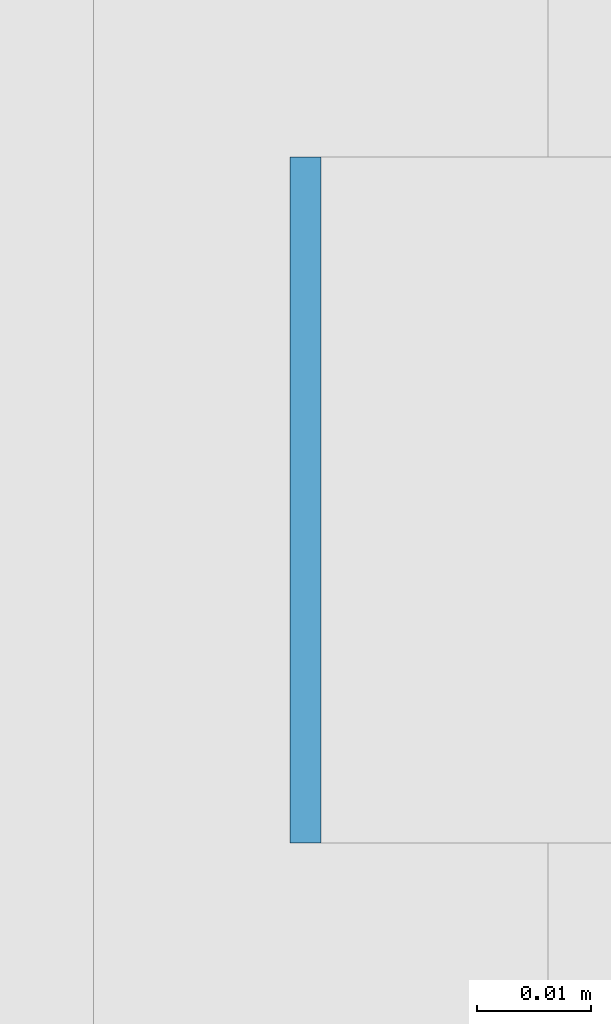
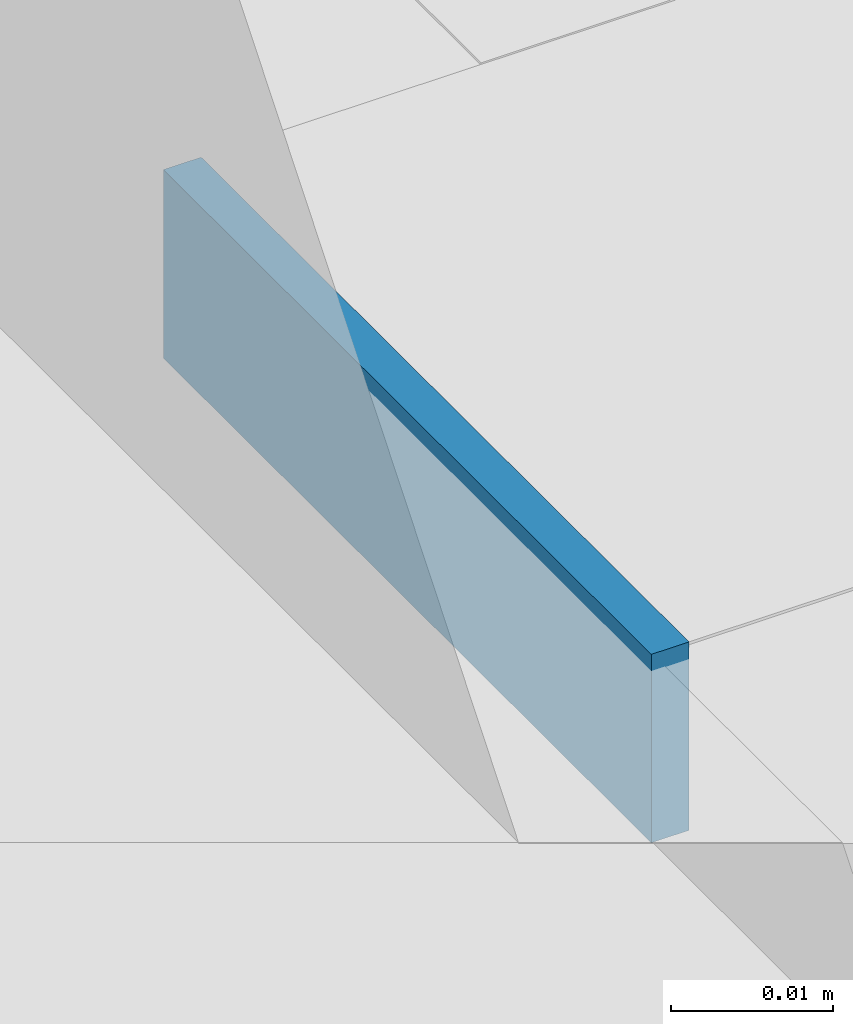
# One storey, part 447 of 646: 1 discrete accessory.
"""IFC4 building model written with IfcOpenShell, lengths in metres."""

from ifc_helpers import new_model, si_unit, direction, frame, origin, origin_2d, place, context, subcontext, project, spatial, rectangle, extrude, material, type_object, element, save


model = new_model("IFC4")

# Units and contexts
model_context = context("Model", 3, precision=1e-05, world=origin(), true_north=direction((0.0, 1.0)))
body_context = subcontext(model_context, "Body", "Model", "MODEL_VIEW")
ifc_project = project(units=[si_unit("LENGTHUNIT", "METRE"), si_unit("AREAUNIT", "SQUARE_METRE"), si_unit("VOLUMEUNIT", "CUBIC_METRE"), si_unit("PLANEANGLEUNIT", "RADIAN"), si_unit("MASSUNIT", "GRAM", prefix="KILO")], contexts=[model_context])

# Site, building, storey
site_placement = place(None, origin())
site = spatial("IfcSite", under=ifc_project, at=site_placement, CompositionType="ELEMENT")
building_placement = place(site_placement, origin())
building = spatial("IfcBuilding", under=site, at=building_placement, Name="Silverbay Arena", CompositionType="ELEMENT")
storey_placement = place(building_placement, frame((0.0, 0.0, 33.5)))
storey = spatial("IfcBuildingStorey", under=building, at=storey_placement, Name="L05", CompositionType="ELEMENT", Elevation=33.5)

# Discrete accessory
ifc_material = material(Name="Steel S355", Category="steel")
discrete_accessory_type = type_object("IfcDiscreteAccessoryType", Name="Steel bracket plate", PredefinedType="BRACKET", material=ifc_material)
discrete_accessory_placement = place(storey_placement, frame((207.128662109375, 37.28564453125, 12.98583984375), z_axis=(0.0, 0.0, 1.0), x_axis=(1.0, 0.0, 0.0)))
element("IfcDiscreteAccessory", 1, at=discrete_accessory_placement, inside=storey, type_object=discrete_accessory_type, Name="Curtain wall packing plate", PredefinedType="BRACKET", context=body_context, shape_type="SweptSolid", body=[
    extrude(rectangle(XDim=0.002685546875, YDim=0.06005859375, at=origin_2d()), origin(), (0.0, 0.0, 1.0), 0.01416015625),
])

save(model, "model.ifc")
